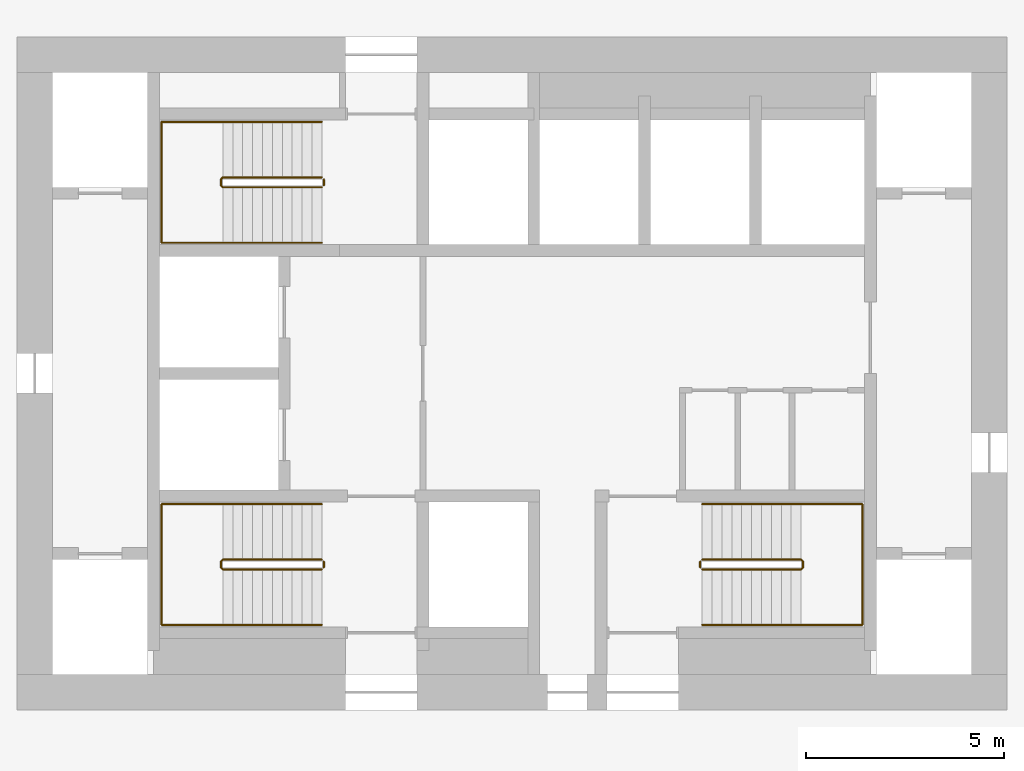
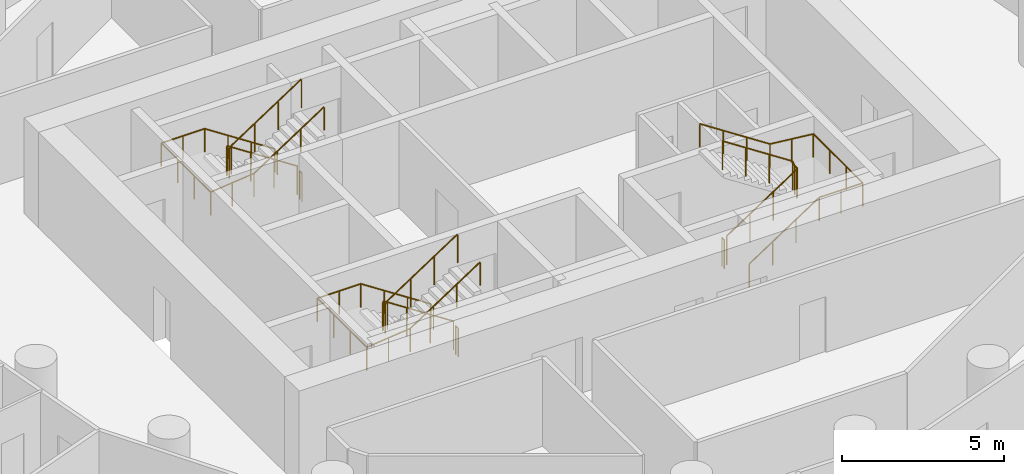
# One storey, part 10 of 10: 9 railings.
"""IFC4 building model written with IfcOpenShell, lengths in metres."""

from ifc_helpers import new_model, si_unit, direction, frame, origin, origin_2d, place, context, subcontext, project, spatial, circle, extrude, material, type_object, element, save


model = new_model("IFC4")

# Units and contexts
model_context = context("Model", 3, precision=1e-05, world=origin(), true_north=direction((0.0, 1.0)))
body_context = subcontext(model_context, "Body", "Model", "MODEL_VIEW")
ifc_project = project(units=[si_unit("LENGTHUNIT", "METRE"), si_unit("AREAUNIT", "SQUARE_METRE"), si_unit("VOLUMEUNIT", "CUBIC_METRE"), si_unit("PLANEANGLEUNIT", "RADIAN"), si_unit("MASSUNIT", "GRAM", prefix="KILO")], contexts=[model_context])

# Site, building, storey
site_placement = place(None, origin())
site = spatial("IfcSite", under=ifc_project, at=site_placement, CompositionType="ELEMENT")
building_placement = place(site_placement, origin())
building = spatial("IfcBuilding", under=site, at=building_placement, Name="Tracery Tower", CompositionType="ELEMENT")
storey_placement = place(building_placement, frame((0.0, 0.0, 136.800048828125)))
storey = spatial("IfcBuildingStorey", under=building, at=storey_placement, Name="L34", CompositionType="ELEMENT", Elevation=136.800048828125)

# Railings
ifc_material_1 = material(Name="Stainless steel and laminated glass", Category="steel")
railing_type_1 = type_object("IfcRailingType", Name="Stair guard 1100", PredefinedType="GUARDRAIL", material=ifc_material_1)
railing_1_placement = place(storey_placement, frame((-4.800048828125, -4.699951171875, 0.16357421875)))
element("IfcRailing", 1, at=railing_1_placement, inside=storey, type_object=railing_type_1, Name="L34 stair ST1 guard 1", PredefinedType="GUARDRAIL", context=body_context, shape_type="SweptSolid", body=[
    extrude(circle(Radius=0.02392578125, at=origin_2d()), frame((0.0, 0.0, 1.076171875), z_axis=(-0.83668449804, 0.0, 0.54768517484), x_axis=(0.0, -1.0, 0.0)), (0.0, 0.0, 1.0), 2.988037109375),
    extrude(circle(Radius=0.02392578125, at=origin_2d()), frame((-2.5, 0.0, 2.71240234375), z_axis=(-0.707106781187, -0.707106781187, 0.0), x_axis=(0.707106781187, -0.707106781187, 0.0)), (0.0, 0.0, 1.0), 0.07080078125),
    extrude(circle(Radius=0.02392578125, at=origin_2d()), frame((-2.550048828125, -0.050048828125, 2.71240234375), z_axis=(0.0, -1.0, 0.0), x_axis=(1.0, 0.0, 0.0)), (0.0, 0.0, 1.0), 0.14990234375),
    extrude(circle(Radius=0.02392578125, at=origin_2d()), frame((-2.550048828125, -0.199951171875, 2.71240234375), z_axis=(0.280808744504, -0.280808744504, 0.917765164963), x_axis=(0.707106781187, 0.707106781187, 0.0)), (0.0, 0.0, 1.0), 0.17822265625),
    extrude(circle(Radius=0.02392578125, at=origin_2d()), frame((-2.5, -0.25, 2.8759765625), z_axis=(0.836721939367, 0.0, 0.547627972425), x_axis=(0.0, 1.0, 0.0)), (0.0, 0.0, 1.0), 2.98779296875),
    extrude(circle(Radius=0.02099609375, at=origin_2d()), origin(), (0.0, 0.0, 1.0), 1.052001953125),
    extrude(circle(Radius=0.02099609375, at=origin_2d()), frame((-0.833251953125, 0.0, 0.54541015625)), (0.0, 0.0, 1.0), 1.052001953125),
    extrude(circle(Radius=0.02099609375, at=origin_2d()), frame((-1.666748046875, 0.0, 1.091064453125)), (0.0, 0.0, 1.0), 1.052001953125),
    extrude(circle(Radius=0.02099609375, at=origin_2d()), frame((-2.5, 0.0, 1.636474609375)), (0.0, 0.0, 1.0), 1.052001953125),
    extrude(circle(Radius=0.02099609375, at=origin_2d()), frame((-2.550048828125, -0.050048828125, 1.636474609375)), (0.0, 0.0, 1.0), 1.052001953125),
    extrude(circle(Radius=0.02099609375, at=origin_2d()), frame((-2.550048828125, -0.199951171875, 1.636474609375)), (0.0, 0.0, 1.0), 1.052001953125),
    extrude(circle(Radius=0.02099609375, at=origin_2d()), frame((-2.5, -0.25, 1.800048828125)), (0.0, 0.0, 1.0), 1.052001953125),
    extrude(circle(Radius=0.02099609375, at=origin_2d()), frame((-1.666748046875, -0.25, 2.345458984375)), (0.0, 0.0, 1.0), 1.052001953125),
    extrude(circle(Radius=0.02099609375, at=origin_2d()), frame((-0.833251953125, -0.25, 2.890869140625)), (0.0, 0.0, 1.0), 1.052001953125),
    extrude(circle(Radius=0.02099609375, at=origin_2d()), frame((0.0, -0.25, 3.436279296875)), (0.0, 0.0, 1.0), 1.052001953125),
])
railing_2_placement = place(storey_placement, frame((-4.75, -4.75, 0.0)))
element("IfcRailing", 2, at=railing_2_placement, inside=storey, type_object=railing_type_1, Name="L34 stair ST1 guard 2", PredefinedType="GUARDRAIL", context=body_context, shape_type="SweptSolid", body=[
    extrude(circle(Radius=0.02392578125, at=origin_2d()), frame((0.0, 0.0, 1.076171875), z_axis=(0.0, -1.0, 0.0), x_axis=(1.0, 0.0, 0.0)), (0.0, 0.0, 1.0), 0.14990234375),
    extrude(circle(Radius=0.02099609375, at=origin_2d()), origin(), (0.0, 0.0, 1.0), 1.052001953125),
    extrude(circle(Radius=0.02099609375, at=origin_2d()), frame((0.0, -0.14990234375, 0.0)), (0.0, 0.0, 1.0), 1.052001953125),
])
railing_3_placement = place(storey_placement, frame((-4.800048828125, 4.949951171875, 0.16357421875)))
element("IfcRailing", 3, at=railing_3_placement, inside=storey, type_object=railing_type_1, Name="L34 stair ST3 guard 1", PredefinedType="GUARDRAIL", context=body_context, shape_type="SweptSolid", body=[
    extrude(circle(Radius=0.02392578125, at=origin_2d()), frame((0.0, 0.0, 1.076171875), z_axis=(-0.83668449804, 0.0, 0.54768517484), x_axis=(0.0, -1.0, 0.0)), (0.0, 0.0, 1.0), 2.988037109375),
    extrude(circle(Radius=0.02392578125, at=origin_2d()), frame((-2.5, 0.0, 2.71240234375), z_axis=(-0.707106781187, -0.707106781187, 0.0), x_axis=(0.707106781187, -0.707106781187, 0.0)), (0.0, 0.0, 1.0), 0.07080078125),
    extrude(circle(Radius=0.02392578125, at=origin_2d()), frame((-2.550048828125, -0.050048828125, 2.71240234375), z_axis=(0.0, -1.0, 0.0), x_axis=(1.0, 0.0, 0.0)), (0.0, 0.0, 1.0), 0.14990234375),
    extrude(circle(Radius=0.02392578125, at=origin_2d()), frame((-2.550048828125, -0.199951171875, 2.71240234375), z_axis=(0.280808744504, -0.280808744504, 0.917765164963), x_axis=(0.707106781187, 0.707106781187, 0.0)), (0.0, 0.0, 1.0), 0.17822265625),
    extrude(circle(Radius=0.02392578125, at=origin_2d()), frame((-2.5, -0.25, 2.8759765625), z_axis=(0.836721939367, 0.0, 0.547627972425), x_axis=(0.0, 1.0, 0.0)), (0.0, 0.0, 1.0), 2.98779296875),
    extrude(circle(Radius=0.02099609375, at=origin_2d()), origin(), (0.0, 0.0, 1.0), 1.052001953125),
    extrude(circle(Radius=0.02099609375, at=origin_2d()), frame((-0.833251953125, 0.0, 0.54541015625)), (0.0, 0.0, 1.0), 1.052001953125),
    extrude(circle(Radius=0.02099609375, at=origin_2d()), frame((-1.666748046875, 0.0, 1.091064453125)), (0.0, 0.0, 1.0), 1.052001953125),
    extrude(circle(Radius=0.02099609375, at=origin_2d()), frame((-2.5, 0.0, 1.636474609375)), (0.0, 0.0, 1.0), 1.052001953125),
    extrude(circle(Radius=0.02099609375, at=origin_2d()), frame((-2.550048828125, -0.050048828125, 1.636474609375)), (0.0, 0.0, 1.0), 1.052001953125),
    extrude(circle(Radius=0.02099609375, at=origin_2d()), frame((-2.550048828125, -0.199951171875, 1.636474609375)), (0.0, 0.0, 1.0), 1.052001953125),
    extrude(circle(Radius=0.02099609375, at=origin_2d()), frame((-2.5, -0.25, 1.800048828125)), (0.0, 0.0, 1.0), 1.052001953125),
    extrude(circle(Radius=0.02099609375, at=origin_2d()), frame((-1.666748046875, -0.25, 2.345458984375)), (0.0, 0.0, 1.0), 1.052001953125),
    extrude(circle(Radius=0.02099609375, at=origin_2d()), frame((-0.833251953125, -0.25, 2.890869140625)), (0.0, 0.0, 1.0), 1.052001953125),
    extrude(circle(Radius=0.02099609375, at=origin_2d()), frame((0.0, -0.25, 3.436279296875)), (0.0, 0.0, 1.0), 1.052001953125),
])
railing_4_placement = place(storey_placement, frame((-4.75, 4.89990234375, 0.0)))
element("IfcRailing", 4, at=railing_4_placement, inside=storey, type_object=railing_type_1, Name="L34 stair ST3 guard 2", PredefinedType="GUARDRAIL", context=body_context, shape_type="SweptSolid", body=[
    extrude(circle(Radius=0.02392578125, at=origin_2d()), frame((0.0, 0.0, 1.076171875), z_axis=(0.0, -1.0, 0.0), x_axis=(1.0, 0.0, 0.0)), (0.0, 0.0, 1.0), 0.14990234375),
    extrude(circle(Radius=0.02099609375, at=origin_2d()), origin(), (0.0, 0.0, 1.0), 1.052001953125),
    extrude(circle(Radius=0.02099609375, at=origin_2d()), frame((0.0, -0.14990234375, 0.0)), (0.0, 0.0, 1.0), 1.052001953125),
])
railing_5_placement = place(storey_placement, frame((4.800048828125, -4.949951171875, 0.16357421875)))
element("IfcRailing", 5, at=railing_5_placement, inside=storey, type_object=railing_type_1, Name="L34 stair ST2 guard 1", PredefinedType="GUARDRAIL", context=body_context, shape_type="SweptSolid", body=[
    extrude(circle(Radius=0.02392578125, at=origin_2d()), frame((0.0, 0.0, 1.076171875), z_axis=(0.83668449804, 0.0, 0.54768517484), x_axis=(0.0, 1.0, 0.0)), (0.0, 0.0, 1.0), 2.988037109375),
    extrude(circle(Radius=0.02392578125, at=origin_2d()), frame((2.5, 0.0, 2.71240234375), z_axis=(0.707106781187, 0.707106781187, 0.0), x_axis=(-0.707106781187, 0.707106781187, 0.0)), (0.0, 0.0, 1.0), 0.07080078125),
    extrude(circle(Radius=0.02392578125, at=origin_2d()), frame((2.550048828125, 0.050048828125, 2.71240234375), z_axis=(0.0, 1.0, 0.0), x_axis=(-1.0, 0.0, 0.0)), (0.0, 0.0, 1.0), 0.14990234375),
    extrude(circle(Radius=0.02392578125, at=origin_2d()), frame((2.550048828125, 0.199951171875, 2.71240234375), z_axis=(-0.280808744504, 0.280808744504, 0.917765164963), x_axis=(-0.707106781187, -0.707106781187, 0.0)), (0.0, 0.0, 1.0), 0.17822265625),
    extrude(circle(Radius=0.02392578125, at=origin_2d()), frame((2.5, 0.25, 2.8759765625), z_axis=(-0.836721939367, 0.0, 0.547627972425), x_axis=(0.0, -1.0, 0.0)), (0.0, 0.0, 1.0), 2.98779296875),
    extrude(circle(Radius=0.02099609375, at=origin_2d()), origin(), (0.0, 0.0, 1.0), 1.052001953125),
    extrude(circle(Radius=0.02099609375, at=origin_2d()), frame((0.833251953125, 0.0, 0.54541015625)), (0.0, 0.0, 1.0), 1.052001953125),
    extrude(circle(Radius=0.02099609375, at=origin_2d()), frame((1.666748046875, 0.0, 1.091064453125)), (0.0, 0.0, 1.0), 1.052001953125),
    extrude(circle(Radius=0.02099609375, at=origin_2d()), frame((2.5, 0.0, 1.636474609375)), (0.0, 0.0, 1.0), 1.052001953125),
    extrude(circle(Radius=0.02099609375, at=origin_2d()), frame((2.550048828125, 0.050048828125, 1.636474609375)), (0.0, 0.0, 1.0), 1.052001953125),
    extrude(circle(Radius=0.02099609375, at=origin_2d()), frame((2.550048828125, 0.199951171875, 1.636474609375)), (0.0, 0.0, 1.0), 1.052001953125),
    extrude(circle(Radius=0.02099609375, at=origin_2d()), frame((2.5, 0.25, 1.800048828125)), (0.0, 0.0, 1.0), 1.052001953125),
    extrude(circle(Radius=0.02099609375, at=origin_2d()), frame((1.666748046875, 0.25, 2.345458984375)), (0.0, 0.0, 1.0), 1.052001953125),
    extrude(circle(Radius=0.02099609375, at=origin_2d()), frame((0.833251953125, 0.25, 2.890869140625)), (0.0, 0.0, 1.0), 1.052001953125),
    extrude(circle(Radius=0.02099609375, at=origin_2d()), frame((0.0, 0.25, 3.436279296875)), (0.0, 0.0, 1.0), 1.052001953125),
])
railing_6_placement = place(storey_placement, frame((4.75, -4.89990234375, 0.0)))
element("IfcRailing", 6, at=railing_6_placement, inside=storey, type_object=railing_type_1, Name="L34 stair ST2 guard 2", PredefinedType="GUARDRAIL", context=body_context, shape_type="SweptSolid", body=[
    extrude(circle(Radius=0.02392578125, at=origin_2d()), frame((0.0, 0.0, 1.076171875), z_axis=(0.0, 1.0, 0.0), x_axis=(-1.0, 0.0, 0.0)), (0.0, 0.0, 1.0), 0.14990234375),
    extrude(circle(Radius=0.02099609375, at=origin_2d()), origin(), (0.0, 0.0, 1.0), 1.052001953125),
    extrude(circle(Radius=0.02099609375, at=origin_2d()), frame((0.0, 0.14990234375, 0.0)), (0.0, 0.0, 1.0), 1.052001953125),
])
ifc_material_2 = material(Name="Stainless steel and laminated glass", Category="steel")
railing_type_2 = type_object("IfcRailingType", Name="Stair handrail 900", PredefinedType="HANDRAIL", material=ifc_material_2)
railing_7_placement = place(storey_placement, frame((-4.800048828125, -3.300048828125, 0.16357421875)))
element("IfcRailing", 7, at=railing_7_placement, inside=storey, type_object=railing_type_2, Name="L34 stair ST1 handrail 1", PredefinedType="HANDRAIL", context=body_context, shape_type="SweptSolid", body=[
    extrude(circle(Radius=0.02392578125, at=origin_2d()), frame((0.0, 0.0, 0.8759765625), z_axis=(-0.83668449804, 0.0, 0.54768517484), x_axis=(0.0, -1.0, 0.0)), (0.0, 0.0, 1.0), 2.988037109375),
    extrude(circle(Radius=0.02392578125, at=origin_2d()), frame((-2.5, 0.0, 2.51220703125), z_axis=(-1.0, 0.0, 0.0), x_axis=(0.0, -1.0, 0.0)), (0.0, 0.0, 1.0), 1.550048828125),
    extrude(circle(Radius=0.02392578125, at=origin_2d()), frame((-4.050048828125, 0.0, 2.51220703125), z_axis=(0.0, -1.0, 0.0), x_axis=(1.0, 0.0, 0.0)), (0.0, 0.0, 1.0), 3.050048828125),
    extrude(circle(Radius=0.02392578125, at=origin_2d()), frame((-4.050048828125, -3.050048828125, 2.51220703125), z_axis=(0.994477953863, 0.0, 0.104945696817), x_axis=(0.0, 1.0, 0.0)), (0.0, 0.0, 1.0), 1.55859375),
    extrude(circle(Radius=0.02392578125, at=origin_2d()), frame((-2.5, -3.050048828125, 2.67578125), z_axis=(0.836721939367, 0.0, 0.547627972425), x_axis=(0.0, 1.0, 0.0)), (0.0, 0.0, 1.0), 2.98779296875),
    extrude(circle(Radius=0.02099609375, at=origin_2d()), origin(), (0.0, 0.0, 1.0), 0.851806640625),
    extrude(circle(Radius=0.02099609375, at=origin_2d()), frame((-0.833251953125, 0.0, 0.54541015625)), (0.0, 0.0, 1.0), 0.851806640625),
    extrude(circle(Radius=0.02099609375, at=origin_2d()), frame((-1.666748046875, 0.0, 1.091064453125)), (0.0, 0.0, 1.0), 0.851806640625),
    extrude(circle(Radius=0.02099609375, at=origin_2d()), frame((-2.5, 0.0, 1.636474609375)), (0.0, 0.0, 1.0), 0.851806640625),
    extrude(circle(Radius=0.02099609375, at=origin_2d()), frame((-3.27490234375, 0.0, 1.636474609375)), (0.0, 0.0, 1.0), 0.851806640625),
    extrude(circle(Radius=0.02099609375, at=origin_2d()), frame((-4.050048828125, 0.0, 1.636474609375)), (0.0, 0.0, 1.0), 0.851806640625),
    extrude(circle(Radius=0.02099609375, at=origin_2d()), frame((-4.050048828125, -1.0166015625, 1.636474609375)), (0.0, 0.0, 1.0), 0.851806640625),
    extrude(circle(Radius=0.02099609375, at=origin_2d()), frame((-4.050048828125, -2.033447265625, 1.636474609375)), (0.0, 0.0, 1.0), 0.851806640625),
    extrude(circle(Radius=0.02099609375, at=origin_2d()), frame((-4.050048828125, -3.050048828125, 1.636474609375)), (0.0, 0.0, 1.0), 0.851806640625),
    extrude(circle(Radius=0.02099609375, at=origin_2d()), frame((-3.27490234375, -3.050048828125, 1.71826171875)), (0.0, 0.0, 1.0), 0.851806640625),
    extrude(circle(Radius=0.02099609375, at=origin_2d()), frame((-2.5, -3.050048828125, 1.800048828125)), (0.0, 0.0, 1.0), 0.851806640625),
    extrude(circle(Radius=0.02099609375, at=origin_2d()), frame((-1.666748046875, -3.050048828125, 2.345458984375)), (0.0, 0.0, 1.0), 0.851806640625),
    extrude(circle(Radius=0.02099609375, at=origin_2d()), frame((-0.833251953125, -3.050048828125, 2.890869140625)), (0.0, 0.0, 1.0), 0.851806640625),
    extrude(circle(Radius=0.02099609375, at=origin_2d()), frame((0.0, -3.050048828125, 3.436279296875)), (0.0, 0.0, 1.0), 0.851806640625),
])
railing_8_placement = place(storey_placement, frame((-4.800048828125, 6.35009765625, 0.16357421875)))
element("IfcRailing", 8, at=railing_8_placement, inside=storey, type_object=railing_type_2, Name="L34 stair ST3 handrail 1", PredefinedType="HANDRAIL", context=body_context, shape_type="SweptSolid", body=[
    extrude(circle(Radius=0.02392578125, at=origin_2d()), frame((0.0, 0.0, 0.8759765625), z_axis=(-0.83668449804, 0.0, 0.54768517484), x_axis=(0.0, -1.0, 0.0)), (0.0, 0.0, 1.0), 2.988037109375),
    extrude(circle(Radius=0.02392578125, at=origin_2d()), frame((-2.5, 0.0, 2.51220703125), z_axis=(-1.0, 0.0, 0.0), x_axis=(0.0, -1.0, 0.0)), (0.0, 0.0, 1.0), 1.550048828125),
    extrude(circle(Radius=0.02392578125, at=origin_2d()), frame((-4.050048828125, 0.0, 2.51220703125), z_axis=(0.0, -1.0, 0.0), x_axis=(1.0, 0.0, 0.0)), (0.0, 0.0, 1.0), 3.050048828125),
    extrude(circle(Radius=0.02392578125, at=origin_2d()), frame((-4.050048828125, -3.050048828125, 2.51220703125), z_axis=(0.994477953863, 0.0, 0.104945696817), x_axis=(0.0, 1.0, 0.0)), (0.0, 0.0, 1.0), 1.55859375),
    extrude(circle(Radius=0.02392578125, at=origin_2d()), frame((-2.5, -3.050048828125, 2.67578125), z_axis=(0.836721939367, 0.0, 0.547627972425), x_axis=(0.0, 1.0, 0.0)), (0.0, 0.0, 1.0), 2.98779296875),
    extrude(circle(Radius=0.02099609375, at=origin_2d()), origin(), (0.0, 0.0, 1.0), 0.851806640625),
    extrude(circle(Radius=0.02099609375, at=origin_2d()), frame((-0.833251953125, 0.0, 0.54541015625)), (0.0, 0.0, 1.0), 0.851806640625),
    extrude(circle(Radius=0.02099609375, at=origin_2d()), frame((-1.666748046875, 0.0, 1.091064453125)), (0.0, 0.0, 1.0), 0.851806640625),
    extrude(circle(Radius=0.02099609375, at=origin_2d()), frame((-2.5, 0.0, 1.636474609375)), (0.0, 0.0, 1.0), 0.851806640625),
    extrude(circle(Radius=0.02099609375, at=origin_2d()), frame((-3.27490234375, 0.0, 1.636474609375)), (0.0, 0.0, 1.0), 0.851806640625),
    extrude(circle(Radius=0.02099609375, at=origin_2d()), frame((-4.050048828125, 0.0, 1.636474609375)), (0.0, 0.0, 1.0), 0.851806640625),
    extrude(circle(Radius=0.02099609375, at=origin_2d()), frame((-4.050048828125, -1.0166015625, 1.636474609375)), (0.0, 0.0, 1.0), 0.851806640625),
    extrude(circle(Radius=0.02099609375, at=origin_2d()), frame((-4.050048828125, -2.033447265625, 1.636474609375)), (0.0, 0.0, 1.0), 0.851806640625),
    extrude(circle(Radius=0.02099609375, at=origin_2d()), frame((-4.050048828125, -3.050048828125, 1.636474609375)), (0.0, 0.0, 1.0), 0.851806640625),
    extrude(circle(Radius=0.02099609375, at=origin_2d()), frame((-3.27490234375, -3.050048828125, 1.71826171875)), (0.0, 0.0, 1.0), 0.851806640625),
    extrude(circle(Radius=0.02099609375, at=origin_2d()), frame((-2.5, -3.050048828125, 1.800048828125)), (0.0, 0.0, 1.0), 0.851806640625),
    extrude(circle(Radius=0.02099609375, at=origin_2d()), frame((-1.666748046875, -3.050048828125, 2.345458984375)), (0.0, 0.0, 1.0), 0.851806640625),
    extrude(circle(Radius=0.02099609375, at=origin_2d()), frame((-0.833251953125, -3.050048828125, 2.890869140625)), (0.0, 0.0, 1.0), 0.851806640625),
    extrude(circle(Radius=0.02099609375, at=origin_2d()), frame((0.0, -3.050048828125, 3.436279296875)), (0.0, 0.0, 1.0), 0.851806640625),
])
railing_9_placement = place(storey_placement, frame((4.800048828125, -6.35009765625, 0.16357421875)))
element("IfcRailing", 9, at=railing_9_placement, inside=storey, type_object=railing_type_2, Name="L34 stair ST2 handrail 1", PredefinedType="HANDRAIL", context=body_context, shape_type="SweptSolid", body=[
    extrude(circle(Radius=0.02392578125, at=origin_2d()), frame((0.0, 0.0, 0.8759765625), z_axis=(0.83668449804, 0.0, 0.54768517484), x_axis=(0.0, 1.0, 0.0)), (0.0, 0.0, 1.0), 2.988037109375),
    extrude(circle(Radius=0.02392578125, at=origin_2d()), frame((2.5, 0.0, 2.51220703125), z_axis=(1.0, 0.0, 0.0), x_axis=(0.0, 1.0, 0.0)), (0.0, 0.0, 1.0), 1.550048828125),
    extrude(circle(Radius=0.02392578125, at=origin_2d()), frame((4.050048828125, 0.0, 2.51220703125), z_axis=(0.0, 1.0, 0.0), x_axis=(-1.0, 0.0, 0.0)), (0.0, 0.0, 1.0), 3.050048828125),
    extrude(circle(Radius=0.02392578125, at=origin_2d()), frame((4.050048828125, 3.050048828125, 2.51220703125), z_axis=(-0.994477953863, 0.0, 0.104945696817), x_axis=(0.0, -1.0, 0.0)), (0.0, 0.0, 1.0), 1.55859375),
    extrude(circle(Radius=0.02392578125, at=origin_2d()), frame((2.5, 3.050048828125, 2.67578125), z_axis=(-0.836721939367, 0.0, 0.547627972425), x_axis=(0.0, -1.0, 0.0)), (0.0, 0.0, 1.0), 2.98779296875),
    extrude(circle(Radius=0.02099609375, at=origin_2d()), origin(), (0.0, 0.0, 1.0), 0.851806640625),
    extrude(circle(Radius=0.02099609375, at=origin_2d()), frame((0.833251953125, 0.0, 0.54541015625)), (0.0, 0.0, 1.0), 0.851806640625),
    extrude(circle(Radius=0.02099609375, at=origin_2d()), frame((1.666748046875, 0.0, 1.091064453125)), (0.0, 0.0, 1.0), 0.851806640625),
    extrude(circle(Radius=0.02099609375, at=origin_2d()), frame((2.5, 0.0, 1.636474609375)), (0.0, 0.0, 1.0), 0.851806640625),
    extrude(circle(Radius=0.02099609375, at=origin_2d()), frame((3.27490234375, 0.0, 1.636474609375)), (0.0, 0.0, 1.0), 0.851806640625),
    extrude(circle(Radius=0.02099609375, at=origin_2d()), frame((4.050048828125, 0.0, 1.636474609375)), (0.0, 0.0, 1.0), 0.851806640625),
    extrude(circle(Radius=0.02099609375, at=origin_2d()), frame((4.050048828125, 1.0166015625, 1.636474609375)), (0.0, 0.0, 1.0), 0.851806640625),
    extrude(circle(Radius=0.02099609375, at=origin_2d()), frame((4.050048828125, 2.033447265625, 1.636474609375)), (0.0, 0.0, 1.0), 0.851806640625),
    extrude(circle(Radius=0.02099609375, at=origin_2d()), frame((4.050048828125, 3.050048828125, 1.636474609375)), (0.0, 0.0, 1.0), 0.851806640625),
    extrude(circle(Radius=0.02099609375, at=origin_2d()), frame((3.27490234375, 3.050048828125, 1.71826171875)), (0.0, 0.0, 1.0), 0.851806640625),
    extrude(circle(Radius=0.02099609375, at=origin_2d()), frame((2.5, 3.050048828125, 1.800048828125)), (0.0, 0.0, 1.0), 0.851806640625),
    extrude(circle(Radius=0.02099609375, at=origin_2d()), frame((1.666748046875, 3.050048828125, 2.345458984375)), (0.0, 0.0, 1.0), 0.851806640625),
    extrude(circle(Radius=0.02099609375, at=origin_2d()), frame((0.833251953125, 3.050048828125, 2.890869140625)), (0.0, 0.0, 1.0), 0.851806640625),
    extrude(circle(Radius=0.02099609375, at=origin_2d()), frame((0.0, 3.050048828125, 3.436279296875)), (0.0, 0.0, 1.0), 0.851806640625),
])

save(model, "model.ifc")
